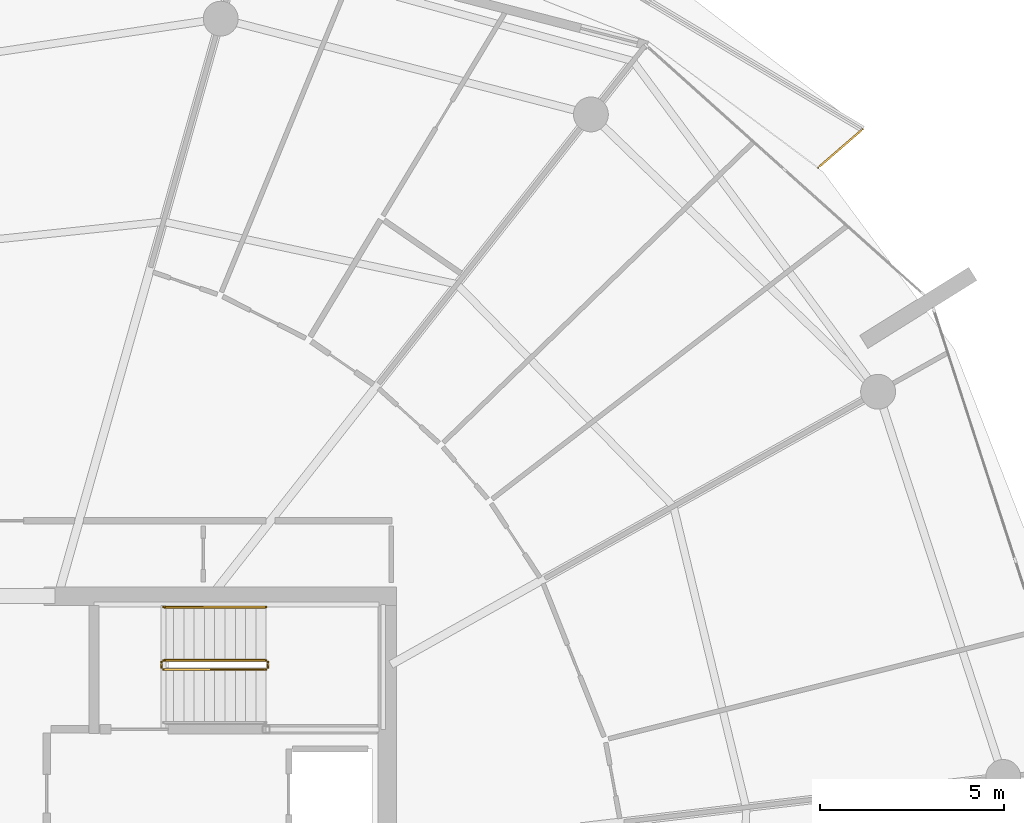
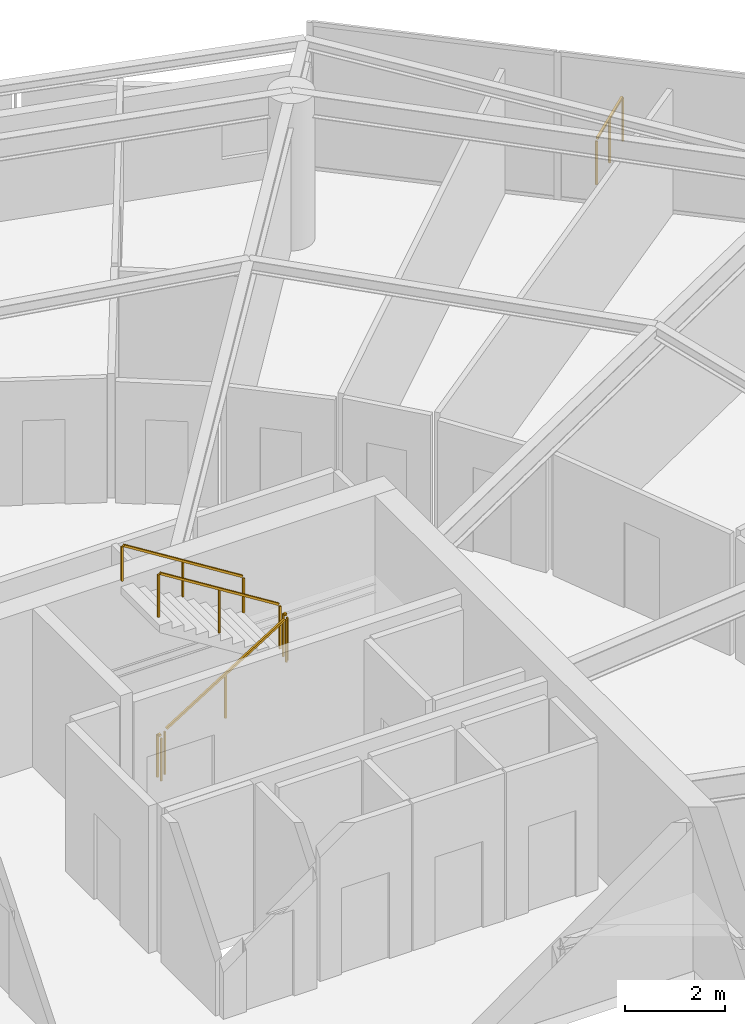
# One storey, part 29 of 30: 6 railings.
"""IFC4 building model written with IfcOpenShell, lengths in metres."""

from ifc_helpers import new_model, si_unit, direction, frame, origin, origin_2d, place, context, subcontext, project, spatial, rectangle, extrude, material, type_object, element, save


model = new_model("IFC4")

# Units and contexts
model_context = context("Model", 3, precision=1e-05, world=origin(), true_north=direction((0.0, 1.0)))
body_context = subcontext(model_context, "Body", "Model", "MODEL_VIEW")
ifc_project = project(units=[si_unit("LENGTHUNIT", "METRE"), si_unit("AREAUNIT", "SQUARE_METRE"), si_unit("VOLUMEUNIT", "CUBIC_METRE"), si_unit("PLANEANGLEUNIT", "RADIAN"), si_unit("MASSUNIT", "GRAM", prefix="KILO")], contexts=[model_context])

# Site, building, storey
site_placement = place(None, origin())
site = spatial("IfcSite", under=ifc_project, at=site_placement, CompositionType="ELEMENT")
building_placement = place(site_placement, origin())
building = spatial("IfcBuilding", under=site, at=building_placement, Name="Kazma Halo Residences", CompositionType="ELEMENT")
storey_placement = place(building_placement, frame((0.0, 0.0, 279.050048828125)))
storey = spatial("IfcBuildingStorey", under=building, at=storey_placement, Name="L70", CompositionType="ELEMENT", Elevation=279.050048828125)

# Railings
ifc_material_1 = material(Name="Aluminium AW-6063 T6 Brushed Cap Rail", Category="aluminium")
railing_type_1 = type_object("IfcRailingType", Name="RLG-BAL-CAP-1120", PredefinedType="BALUSTRADE", material=ifc_material_1)
railing_1_placement = place(storey_placement, frame((71.0400390625, 61.9228515625, 0.0)))
element("IfcRailing", 1, at=railing_1_placement, inside=storey, type_object=railing_type_1, Name="L70 NE wave balcony guard 1", PredefinedType="BALUSTRADE", context=body_context, shape_type="SweptSolid", body=[
    extrude(rectangle(XDim=0.050048828125, YDim=0.050048828125, at=origin_2d()), frame((0.0322265625, 0.02783203125, 1.09521484375), z_axis=(0.756483466275, 0.654012817346, 0.0), x_axis=(-0.654012817346, 0.756483466275, 0.0)), (0.0, 0.0, 1.0), 1.515869140625),
    extrude(rectangle(XDim=0.0400390625, YDim=0.0400390625, at=origin_2d()), origin(), (0.0, 0.0, 1.0), 1.05810546875),
    extrude(rectangle(XDim=0.0400390625, YDim=0.0400390625, at=origin_2d()), frame((0.60546875, 0.5234375, 0.0)), (0.0, 0.0, 1.0), 1.05810546875),
    extrude(rectangle(XDim=0.0400390625, YDim=0.0400390625, at=origin_2d()), frame((1.211181640625, 1.047119140625, 0.0)), (0.0, 0.0, 1.0), 1.05810546875),
])
ifc_material_2 = material(Name="Painted Steel S355", Category="steel")
railing_type_2 = type_object("IfcRailingType", Name="RLG-STAIR-GRD-1100", PredefinedType="GUARDRAIL", material=ifc_material_2)
railing_2_placement = place(storey_placement, frame((53.199951171875, 48.25, 0.175048828125)))
element("IfcRailing", 2, at=railing_2_placement, inside=storey, type_object=railing_type_2, Name="L70 ST-02 stair guard 1", PredefinedType="GUARDRAIL", context=body_context, shape_type="SweptSolid", body=[
    extrude(rectangle(XDim=0.050048828125, YDim=0.050048828125, at=origin_2d()), frame((0.0361328125, 0.0, 1.09765625), z_axis=(0.848002457836, 0.0, 0.529992293815), x_axis=(0.0, 1.0, 0.0)), (0.0, 0.0, 1.0), 3.216796875),
    extrude(rectangle(XDim=0.0400390625, YDim=0.0400390625, at=origin_2d()), origin(), (0.0, 0.0, 1.0), 1.0380859375),
    extrude(rectangle(XDim=0.0400390625, YDim=0.0400390625, at=origin_2d()), frame((1.39990234375, 0.0, 0.875)), (0.0, 0.0, 1.0), 1.0380859375),
    extrude(rectangle(XDim=0.0400390625, YDim=0.0400390625, at=origin_2d()), frame((2.800048828125, 0.0, 1.75)), (0.0, 0.0, 1.0), 1.0380859375),
])
railing_3_placement = place(storey_placement, frame((56.050048828125, 48.300048828125, 1.925048828125)))
element("IfcRailing", 3, at=railing_3_placement, inside=storey, type_object=railing_type_2, Name="L70 ST-02 stair guard 2", PredefinedType="GUARDRAIL", context=body_context, shape_type="SweptSolid", body=[
    extrude(rectangle(XDim=0.050048828125, YDim=0.050048828125, at=origin_2d()), frame((0.0, 0.04248046875, 1.0751953125), z_axis=(0.0, 1.0, 0.0), x_axis=(-1.0, 0.0, 0.0)), (0.0, 0.0, 1.0), 0.06494140625),
    extrude(rectangle(XDim=0.0400390625, YDim=0.0400390625, at=origin_2d()), origin(), (0.0, 0.0, 1.0), 1.0380859375),
    extrude(rectangle(XDim=0.0400390625, YDim=0.0400390625, at=origin_2d()), frame((0.0, 0.14990234375, 0.0)), (0.0, 0.0, 1.0), 1.0380859375),
])
railing_4_placement = place(storey_placement, frame((56.0, 48.5, 2.099853515625)))
element("IfcRailing", 4, at=railing_4_placement, inside=storey, type_object=railing_type_2, Name="L70 ST-02 stair guard 3", PredefinedType="GUARDRAIL", context=body_context, shape_type="SweptSolid", body=[
    extrude(rectangle(XDim=0.050048828125, YDim=0.050048828125, at=origin_2d()), frame((-0.0361328125, 0.0, 1.09765625), z_axis=(-0.848002457836, 0.0, 0.529992293815), x_axis=(0.0, -1.0, 0.0)), (0.0, 0.0, 1.0), 3.216796875),
    extrude(rectangle(XDim=0.0400390625, YDim=0.0400390625, at=origin_2d()), origin(), (0.0, 0.0, 1.0), 1.0380859375),
    extrude(rectangle(XDim=0.0400390625, YDim=0.0400390625, at=origin_2d()), frame((-1.39990234375, 0.0, 0.875)), (0.0, 0.0, 1.0), 1.0380859375),
    extrude(rectangle(XDim=0.0400390625, YDim=0.0400390625, at=origin_2d()), frame((-2.800048828125, 0.0, 1.75)), (0.0, 0.0, 1.0), 1.0380859375),
])
railing_5_placement = place(storey_placement, frame((53.14990234375, 48.300048828125, 0.0)))
element("IfcRailing", 5, at=railing_5_placement, inside=storey, type_object=railing_type_2, Name="L70 ST-02 stair guard 4", PredefinedType="GUARDRAIL", context=body_context, shape_type="SweptSolid", body=[
    extrude(rectangle(XDim=0.050048828125, YDim=0.050048828125, at=origin_2d()), frame((0.0, 0.04248046875, 1.0751953125), z_axis=(0.0, 1.0, 0.0), x_axis=(-1.0, 0.0, 0.0)), (0.0, 0.0, 1.0), 0.06494140625),
    extrude(rectangle(XDim=0.0400390625, YDim=0.0400390625, at=origin_2d()), origin(), (0.0, 0.0, 1.0), 1.0380859375),
    extrude(rectangle(XDim=0.0400390625, YDim=0.0400390625, at=origin_2d()), frame((0.0, 0.14990234375, 0.0)), (0.0, 0.0, 1.0), 1.0380859375),
])
ifc_material_3 = material(Name="Brushed Stainless Steel", Category="steel")
railing_type_3 = type_object("IfcRailingType", Name="RLG-STAIR-HND-900", PredefinedType="HANDRAIL", material=ifc_material_3)
railing_6_placement = place(storey_placement, frame((56.0, 49.949951171875, 2.099853515625)))
element("IfcRailing", 6, at=railing_6_placement, inside=storey, type_object=railing_type_3, Name="L70 ST-02 stair handrail 2", PredefinedType="HANDRAIL", context=body_context, shape_type="SweptSolid", body=[
    extrude(rectangle(XDim=0.050048828125, YDim=0.050048828125, at=origin_2d()), frame((-0.0361328125, 0.0, 0.8974609375), z_axis=(-0.848002457836, 0.0, 0.529992293815), x_axis=(0.0, -1.0, 0.0)), (0.0, 0.0, 1.0), 3.216796875),
    extrude(rectangle(XDim=0.0400390625, YDim=0.0400390625, at=origin_2d()), origin(), (0.0, 0.0, 1.0), 0.837890625),
    extrude(rectangle(XDim=0.0400390625, YDim=0.0400390625, at=origin_2d()), frame((-1.39990234375, 0.0, 0.875)), (0.0, 0.0, 1.0), 0.837890625),
    extrude(rectangle(XDim=0.0400390625, YDim=0.0400390625, at=origin_2d()), frame((-2.800048828125, 0.0, 1.75)), (0.0, 0.0, 1.0), 0.837890625),
])

save(model, "model.ifc")
